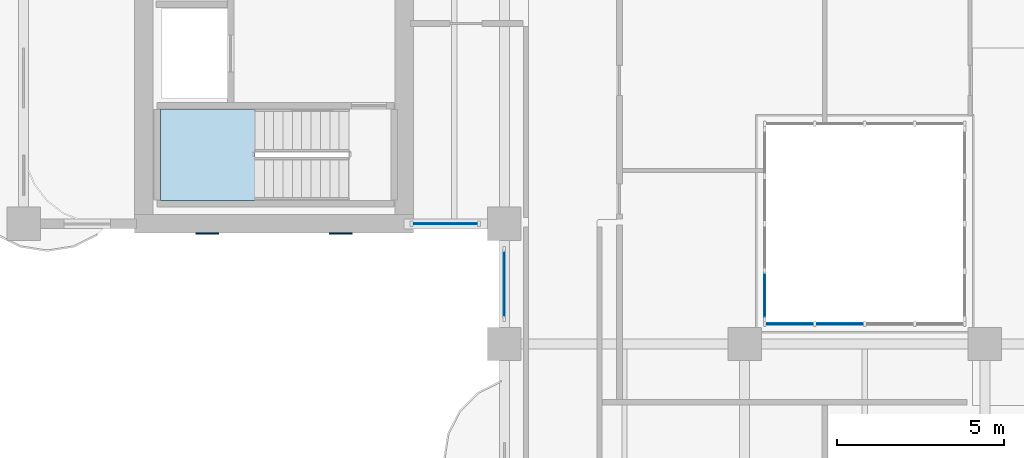
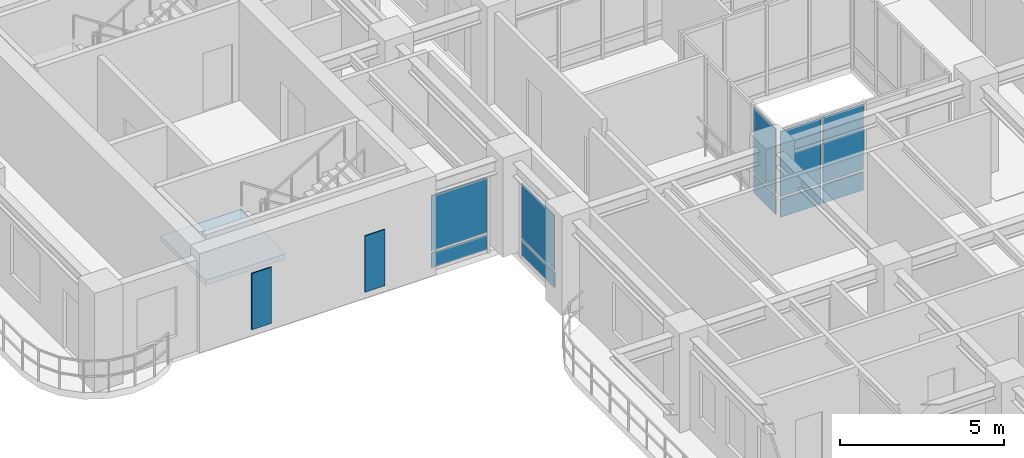
# One storey, part 8 of 21: 12 plates, 1 slab, 5 elements without a shape of their own.
"""IFC4 building model written with IfcOpenShell, lengths in metres."""

import ifcopenshell
import ifcopenshell.guid

model = None  # the IFC model being written
_history = None  # IfcOwnerHistory: only IFC2X3 demands one
_inside = {}  # id of a spatial element -> (the spatial element, [elements in it])
_under = {}  # id of a project, library or spatial element -> (it, [spatial elements below it])
_declared = {}  # id of a project -> (the project, [libraries it declares])
_typed = {}  # id of a type object -> (the type object, [elements of that type])
_made_of = {}  # id of a material, layer set ... -> (it, [elements and type objects made of it])


def new_model(schema):
    """Start an empty IFC model of exactly this schema.

    Asked for "IFC4X3", IfcOpenShell would pick the latest addendum, in which some entities
    have other attributes; the version numbers below select the first issue.
    IFC2X3 requires an IfcOwnerHistory on every rooted entity: one is made here for all.
    """
    global model, _history
    if schema == "IFC4X3":
        model = ifcopenshell.file(schema_version=(4, 3, 0, 0))
    else:
        model = ifcopenshell.file(schema=schema)
    _inside.clear()
    _under.clear()
    _declared.clear()
    _typed.clear()
    _made_of.clear()
    _history = None
    if model.schema == "IFC2X3":
        org = make("IfcOrganization", Name="unknown")
        user = make(
            "IfcPersonAndOrganization",
            ThePerson=make("IfcPerson", FamilyName="unknown"),
            TheOrganization=org,
        )
        app = make(
            "IfcApplication",
            ApplicationDeveloper=org,
            Version="unknown",
            ApplicationFullName="unknown",
            ApplicationIdentifier="unknown",
        )
        _history = make(
            "IfcOwnerHistory",
            OwningUser=user,
            OwningApplication=app,
            ChangeAction="ADDED",
            CreationDate=0,
        )
    return model


def make(cls, **values):
    """One entity of the class cls with the attributes given. An attribute that is None is left unset."""
    return model.create_entity(
        cls, **{name: value for name, value in values.items() if value is not None}
    )


def rooted(cls, **values):
    """An entity with a GlobalId (a new one), such as an element, a storey or a relation."""
    return make(cls, GlobalId=ifcopenshell.guid.new(), OwnerHistory=_history, **values)


def si_unit(unit_type, name, prefix=None):
    """IfcSIUnit, for example si_unit("LENGTHUNIT", "METRE", prefix="MILLI")."""
    return make("IfcSIUnit", UnitType=unit_type, Prefix=prefix, Name=name)


def derived_unit(unit_type, elements):
    """IfcDerivedUnit: a product of units, each with its exponent."""
    return make(
        "IfcDerivedUnit",
        Elements=[
            make("IfcDerivedUnitElement", Unit=unit, Exponent=power)
            for unit, power in elements
        ],
        UnitType=unit_type,
    )


def assignment(units):
    """IfcUnitAssignment: the units of a project."""
    return None if units is None else make("IfcUnitAssignment", Units=units)


def point(xyz):
    """IfcCartesianPoint."""
    return None if xyz is None else make("IfcCartesianPoint", Coordinates=xyz)


def direction(xyz):
    """IfcDirection."""
    return None if xyz is None else make("IfcDirection", DirectionRatios=xyz)


def frame(location, z_axis=None, x_axis=None):
    """IfcAxis2Placement3D, a coordinate frame: its origin and axes. An axis left out is left unset."""
    return make(
        "IfcAxis2Placement3D",
        Location=point(location),
        Axis=direction(z_axis),
        RefDirection=direction(x_axis),
    )


def frame_2d(location, x_axis=None):
    """IfcAxis2Placement2D, a coordinate frame in the plane: its origin and x axis."""
    return make(
        "IfcAxis2Placement2D", Location=point(location), RefDirection=direction(x_axis)
    )


def origin():
    """The frame at (0, 0, 0) with its axes left unset."""
    return frame((0.0, 0.0, 0.0))


def origin_2d():
    """The frame at (0, 0) in the plane with its x axis left unset."""
    return frame_2d((0.0, 0.0))


def place(relative_to, where):
    """IfcLocalPlacement: puts the frame where relative to a parent placement (None: the world)."""
    return make(
        "IfcLocalPlacement", PlacementRelTo=relative_to, RelativePlacement=where
    )


def context(
    kind, dimensions, precision=None, world=None, true_north=None, identifier=None
):
    """IfcGeometricRepresentationContext, for example the 3D "Model" context."""
    return make(
        "IfcGeometricRepresentationContext",
        ContextIdentifier=identifier,
        ContextType=kind,
        CoordinateSpaceDimension=dimensions,
        Precision=precision,
        WorldCoordinateSystem=world,
        TrueNorth=true_north,
    )


def subcontext(parent, identifier, kind, view, scale=None):
    """IfcGeometricRepresentationSubContext, for example "Body" below "Model"."""
    return make(
        "IfcGeometricRepresentationSubContext",
        ContextIdentifier=identifier,
        ContextType=kind,
        ParentContext=parent,
        TargetScale=scale,
        TargetView=view,
    )


def project(units=None, contexts=None):
    """IfcProject with its units and contexts."""
    return rooted(
        "IfcProject",
        Name="project",
        RepresentationContexts=contexts,
        UnitsInContext=assignment(units),
    )


def spatial(cls, under=None, at=None, **own):
    """A site, building, storey or space (cls), placed at a placement, below another one or the project."""
    s = rooted(cls, ObjectPlacement=at, **own)
    if under is not None:
        _under.setdefault(under.id(), (under, []))[1].append(s)
    return s


def polyline(points):
    """IfcPolyline through the points."""
    return make("IfcPolyline", Points=[point(p) for p in points])


def profile(cls, at=None, kind="AREA", **sizes):
    """A parametric profile (cls). Its sizes go by their IFC names, for example OverallWidth=200.0."""
    return make(cls, ProfileType=kind, Position=at, **sizes)


def rectangle(**sizes):
    """IfcRectangleProfileDef."""
    return profile("IfcRectangleProfileDef", **sizes)


def outline(outer, holes=None, kind="AREA"):
    """IfcArbitraryClosedProfileDef: a profile drawn as a closed curve; with holes, ...WithVoids."""
    if holes is None:
        return make("IfcArbitraryClosedProfileDef", ProfileType=kind, OuterCurve=outer)
    return make(
        "IfcArbitraryProfileDefWithVoids",
        ProfileType=kind,
        OuterCurve=outer,
        InnerCurves=holes,
    )


def extrude(swept, where, along, depth):
    """IfcExtrudedAreaSolid: the profile swept, set in the frame where, extruded along a direction by depth."""
    return make(
        "IfcExtrudedAreaSolid",
        SweptArea=swept,
        Position=where,
        ExtrudedDirection=direction(along),
        Depth=depth,
    )


def shape(context_of_items, identifier, shape_type, items):
    """IfcShapeRepresentation: the items that make up one representation, for example the "Body"."""
    return make(
        "IfcShapeRepresentation",
        ContextOfItems=context_of_items,
        RepresentationIdentifier=identifier,
        RepresentationType=shape_type,
        Items=items,
    )


def source(mapping_origin, context_of_items, identifier, shape_type, items):
    """IfcRepresentationMap: a shape defined once, which mapped items show again and again."""
    return make(
        "IfcRepresentationMap",
        MappingOrigin=mapping_origin,
        MappedRepresentation=shape(context_of_items, identifier, shape_type, items),
    )


def transform(
    local_origin,
    x_axis=None,
    y_axis=None,
    z_axis=None,
    scale=None,
    scale2=None,
    scale3=None,
    uniform=True,
):
    """IfcCartesianTransformationOperator3D, or its non-uniform kind. x_axis, y_axis, z_axis: its Axis1, 2, 3."""
    if uniform:
        return make(
            "IfcCartesianTransformationOperator3D",
            Axis1=direction(x_axis),
            Axis2=direction(y_axis),
            LocalOrigin=point(local_origin),
            Scale=scale,
            Axis3=direction(z_axis),
        )
    return make(
        "IfcCartesianTransformationOperator3DnonUniform",
        Axis1=direction(x_axis),
        Axis2=direction(y_axis),
        LocalOrigin=point(local_origin),
        Scale=scale,
        Axis3=direction(z_axis),
        Scale2=scale2,
        Scale3=scale3,
    )


def mapped(mapping_source, mapping_target):
    """IfcMappedItem: shows the shape of a source again, moved by a transform."""
    return make(
        "IfcMappedItem", MappingSource=mapping_source, MappingTarget=mapping_target
    )


def material(Name=None, Category=None):
    """IfcMaterial."""
    return make("IfcMaterial", Name=Name, Category=Category)


def layer(
    of_material, thickness, ventilated=None, Name=None, Category=None, Priority=None
):
    """IfcMaterialLayer: one layer of a wall or slab, of a material (None: an air gap)."""
    return make(
        "IfcMaterialLayer",
        Material=of_material,
        LayerThickness=thickness,
        IsVentilated=ventilated,
        Name=Name,
        Category=Category,
        Priority=Priority,
    )


def layer_set(layers, Name=None):
    """IfcMaterialLayerSet."""
    return make("IfcMaterialLayerSet", MaterialLayers=layers, LayerSetName=Name)


def made_of(thing, what):
    """Note that an element or type object is made of a material, layer set ...; save() writes the relation."""
    if what is not None:
        _made_of.setdefault(what.id(), (what, []))[1].append(thing)
    return thing


def type_object(cls, material=None, **own):
    """A type object (cls), such as IfcWallType, which elements share."""
    return made_of(rooted(cls, **own), material)


def type_shapes(of_type, sources):
    """Give a type object the sources (RepresentationMaps) that its elements show as mapped items."""
    of_type.RepresentationMaps = sources


def element(
    cls,
    number,
    at=None,
    inside=None,
    cuts=None,
    type_object=None,
    material=None,
    context=None,
    identifier="Body",
    shape_type=None,
    held_by="IfcProductDefinitionShape",
    body=None,
    shapes=None,
    **own,
):
    """One element of the class cls, such as IfcWall. Its Tag is "e" and its number.

    at: its placement. inside: the storey or other place that contains it. cuts: it is an
    opening in that element (IfcRelVoidsElement). A single representation is given by context,
    identifier, shape_type and body (its items); several are given by shapes. held_by: the class
    of the entity that holds the representations. save() writes the other relations.
    """
    e = rooted(cls, Tag="e%d" % number, ObjectPlacement=at, **own)
    if body is not None:
        shapes = [shape(context, identifier, shape_type, body)]
    if shapes is not None:
        e.Representation = make(held_by, Representations=shapes)
    if inside is not None:
        _inside.setdefault(inside.id(), (inside, []))[1].append(e)
    if cuts is not None:
        rooted(
            "IfcRelVoidsElement", RelatingBuildingElement=cuts, RelatedOpeningElement=e
        )
    if type_object is not None:
        _typed.setdefault(type_object.id(), (type_object, []))[1].append(e)
    return made_of(e, material)


def aggregate(whole, parts):
    """IfcRelAggregates: a whole, such as a stair, and the parts it consists of."""
    return rooted("IfcRelAggregates", RelatingObject=whole, RelatedObjects=parts)


def save(model, path):
    """Write the relations noted so far, then the file.

    IfcRelAggregates (storeys below a building ...), IfcRelContainedInSpatialStructure (elements
    in a storey), IfcRelDefinesByType, IfcRelAssociatesMaterial and IfcRelDeclares: one each for
    every whole, place, type object, material and project.
    """
    for whole, parts in _under.values():
        aggregate(whole, parts)
    for where, things in _inside.values():
        rooted(
            "IfcRelContainedInSpatialStructure",
            RelatedElements=things,
            RelatingStructure=where,
        )
    for kind, things in _typed.values():
        rooted("IfcRelDefinesByType", RelatedObjects=things, RelatingType=kind)
    for what, things in _made_of.values():
        rooted("IfcRelAssociatesMaterial", RelatedObjects=things, RelatingMaterial=what)
    for by, libraries in _declared.values():
        rooted("IfcRelDeclares", RelatingContext=by, RelatedDefinitions=libraries)
    model.write(path)


model = new_model("IFC4")

# Units and contexts
model_context = context("Model", 3, precision=1e-05, world=origin(), true_north=direction((0.0, 1.0)))
body_context = subcontext(model_context, "Body", "Model", "MODEL_VIEW")
ifc_project = project(units=[si_unit("LENGTHUNIT", "METRE"), si_unit("AREAUNIT", "SQUARE_METRE"), si_unit("VOLUMEUNIT", "CUBIC_METRE"), si_unit("PLANEANGLEUNIT", "RADIAN"), si_unit("MASSUNIT", "GRAM", prefix="KILO"), si_unit("THERMODYNAMICTEMPERATUREUNIT", "KELVIN"), si_unit("POWERUNIT", "WATT"), derived_unit("THERMALTRANSMITTANCEUNIT", [(si_unit("POWERUNIT", "WATT"), 1), (si_unit("AREAUNIT", "SQUARE_METRE"), -1), (si_unit("THERMODYNAMICTEMPERATUREUNIT", "KELVIN"), -1)])], contexts=[model_context])

# Site, building, storey
site_placement = place(None, origin())
site = spatial("IfcSite", under=ifc_project, at=site_placement, CompositionType="ELEMENT")
building_placement = place(site_placement, origin())
building = spatial("IfcBuilding", under=site, at=building_placement, Name="Zahravan Archway Hotel and Residences", CompositionType="ELEMENT")
storey_placement = place(building_placement, frame((0.0, 0.0, 141.39990234375)))
storey = spatial("IfcBuildingStorey", under=building, at=storey_placement, Name="L35", CompositionType="ELEMENT", Elevation=141.39990234375)

# Stair, slab
ifc_material_1 = material(Name="Concrete C50/60", Category="concrete")
stair_type = type_object("IfcStairType", Name="STR-CORE-1300", PredefinedType="HALF_TURN_STAIR", material=ifc_material_1)
stair_placement = place(storey_placement, origin())
stair = element("IfcStair", 1, at=stair_placement, inside=storey, type_object=stair_type, Name="L35 Core B Exit Stair 1", PredefinedType="HALF_TURN_STAIR")
ifc_layer_1 = layer(ifc_material_1, 0.199951171875, Name="Concrete C50/60", Category="concrete")
ifc_layer_set_1 = layer_set([ifc_layer_1], Name="Concrete C50/60")
slab_type = type_object("IfcSlabType", Name="SLB-LND-200", PredefinedType="LANDING", material=ifc_layer_set_1)
slab_placement = place(storey_placement, frame((0.0, 0.0, 1.650146484375)))
slab = element("IfcSlab", 2, at=slab_placement, type_object=slab_type, Name="ST-B1 landing 1", PredefinedType="LANDING", context=body_context, shape_type="SweptSolid", body=[
    extrude(outline(polyline([(6.929931640625, 28.639892578125), (4.10009765625, 28.639892578125), (4.10009765625, 25.89990234375), (6.929931640625, 25.89990234375), (6.929931640625, 28.639892578125)])), origin(), (0.0, 0.0, 1.0), 0.199951171875),
])
aggregate(stair, [slab])

# Plates
ifc_material_2 = material(Name="Perforated Cast Bronze Jali Lattice")
ifc_layer_2 = layer(ifc_material_2, 0.044921875, Name="Perforated Cast Bronze Jali Lattice")
ifc_layer_set_2 = layer_set([ifc_layer_2], Name="Perforated Cast Bronze Jali Lattice")
plate_type_1 = type_object("IfcPlateType", Name="PLT-JALI-BAY", PredefinedType="USERDEFINED", material=ifc_layer_set_2)
shared_shape_1 = source(origin(), body_context, "Body", "SweptSolid", [
    extrude(rectangle(XDim=0.699951171875, YDim=0.044921875, at=origin_2d()), origin(), (0.0, 0.0, 1.0), 2.10009765625),
])
type_shapes(plate_type_1, [shared_shape_1])
for number, where, z_axis, x_axis, name in (
    (3, (5.5, 24.906982421875, 0.25), (0.0, 0.0, 1.0), (1.0, 0.0, 0.0), "L35 Core B South Mughal Jali Screen 1"),
    (4, (9.5, 24.906982421875, 0.25), (0.0, 0.0, 1.0), (1.0, 0.0, 0.0), "L35 Core B South Mughal Jali Screen 2"),
):
    element("IfcPlate", number, at=place(storey_placement, frame(where, z_axis=z_axis, x_axis=x_axis)), inside=storey, type_object=plate_type_1, Name=name, ObjectType="SCREEN", PredefinedType="USERDEFINED", context=body_context, shape_type="MappedRepresentation", body=[
        mapped(shared_shape_1, transform((0.0, 0.0, 0.0), scale=1.0)),
    ])

# Curtain wall, plates
ifc_material_3 = material(Name="Bronze-Anodized Unitised Aluminium & Low-E Glass", Category="aluminium")
ifc_layer_3 = layer(ifc_material_3, 0.179931640625, Name="Bronze-Anodized Unitised Aluminium & Low-E Glass", Category="aluminium")
ifc_layer_set_3 = layer_set([ifc_layer_3], Name="Bronze-Anodized Unitised Aluminium & Low-E Glass")
curtain_wall_type = type_object("IfcCurtainWallType", Name="CW-ATR-GLAZ", PredefinedType="NOTDEFINED", material=ifc_layer_set_3)
curtain_wall_1_placement = place(storey_placement, origin())
curtain_wall_1 = element("IfcCurtainWall", 5, at=curtain_wall_1_placement, inside=storey, type_object=curtain_wall_type, Name="L35 Curtain Wall CW-L35-WB-SE-1", PredefinedType="NOTDEFINED")
ifc_material_4 = material(Name="Insulated Terracotta Spandrel Panel", Category="masonry")
ifc_layer_4 = layer(ifc_material_4, 0.0400390625, Name="Insulated Terracotta Spandrel Panel", Category="masonry")
ifc_layer_set_4 = layer_set([ifc_layer_4], Name="Insulated Terracotta Spandrel Panel")
plate_type_2 = type_object("IfcPlateType", Name="CWP-SPN-40", PredefinedType="SHEET", material=ifc_layer_set_4)
shared_shape_2 = source(origin(), body_context, "Body", "SweptSolid", [
    extrude(rectangle(XDim=1.93994140625, YDim=0.0400390625, at=origin_2d()), origin(), (0.0, 0.0, 1.0), 0.552490234375),
])
plate_1_placement = place(storey_placement, frame((12.6298828125, 25.199951171875, 0.10009765625), z_axis=(0.0, 0.0, 1.0), x_axis=(1.0, 0.0, 0.0)))
plate_1 = element("IfcPlate", 6, at=plate_1_placement, type_object=plate_type_2, Name="CW-L35-WB-SE-1 Spandrel Panel 0", PredefinedType="SHEET", context=body_context, shape_type="MappedRepresentation", body=[
    mapped(shared_shape_2, transform((0.0, 0.0, 0.0), scale=1.0)),
])
ifc_material_5 = material(Name="Double-Silver Low-E Insulated Vision Glass", Category="glass")
ifc_layer_5 = layer(ifc_material_5, 0.028076171875, Name="Double-Silver Low-E Insulated Vision Glass", Category="glass")
ifc_layer_set_5 = layer_set([ifc_layer_5], Name="Double-Silver Low-E Insulated Vision Glass")
plate_type_3 = type_object("IfcPlateType", Name="CWP-GLZ-28", PredefinedType="CURTAIN_PANEL", material=ifc_layer_set_5)
shared_shape_3 = source(origin(), body_context, "Body", "SweptSolid", [
    extrude(rectangle(XDim=1.93994140625, YDim=0.028076171875, at=origin_2d()), origin(), (0.0, 0.0, 1.0), 2.052490234375),
])
plate_2_placement = place(storey_placement, frame((12.6298828125, 25.199951171875, 0.732421875), z_axis=(0.0, 0.0, 1.0), x_axis=(1.0, 0.0, 0.0)))
plate_2 = element("IfcPlate", 7, at=plate_2_placement, type_object=plate_type_3, Name="CW-L35-WB-SE-1 Low-E Vision Panel 0", PredefinedType="CURTAIN_PANEL", context=body_context, shape_type="MappedRepresentation", body=[
    mapped(shared_shape_3, transform((0.0, 0.0, 0.0), scale=1.0)),
])
aggregate(curtain_wall_1, [plate_1, plate_2])

curtain_wall_2_placement = place(storey_placement, origin())
curtain_wall_2 = element("IfcCurtainWall", 8, at=curtain_wall_2_placement, inside=storey, type_object=curtain_wall_type, Name="L35 Curtain Wall CW-L35-WA-WLU-1", PredefinedType="NOTDEFINED")
shared_shape_4 = source(origin(), body_context, "Body", "SweptSolid", [
    extrude(rectangle(XDim=2.0, YDim=0.0400390625, at=origin_2d()), origin(), (0.0, 0.0, 1.0), 0.552490234375),
])
plate_3_placement = place(storey_placement, frame((14.39990234375, 23.39990234375, 0.10009765625), z_axis=(0.0, 0.0, 1.0), x_axis=(0.0, 1.0, 0.0)))
plate_3 = element("IfcPlate", 9, at=plate_3_placement, type_object=plate_type_2, Name="CW-L35-WA-WLU-1 Spandrel Panel 0", PredefinedType="SHEET", context=body_context, shape_type="MappedRepresentation", body=[
    mapped(shared_shape_4, transform((0.0, 0.0, 0.0), scale=1.0)),
])
shared_shape_5 = source(origin(), body_context, "Body", "SweptSolid", [
    extrude(rectangle(XDim=2.0, YDim=0.028076171875, at=origin_2d()), origin(), (0.0, 0.0, 1.0), 2.052490234375),
])
plate_4_placement = place(storey_placement, frame((14.39990234375, 23.39990234375, 0.732421875), z_axis=(0.0, 0.0, 1.0), x_axis=(0.0, 1.0, 0.0)))
plate_4 = element("IfcPlate", 10, at=plate_4_placement, type_object=plate_type_3, Name="CW-L35-WA-WLU-1 Low-E Vision Panel 0", PredefinedType="CURTAIN_PANEL", context=body_context, shape_type="MappedRepresentation", body=[
    mapped(shared_shape_5, transform((0.0, 0.0, 0.0), scale=1.0)),
])
aggregate(curtain_wall_2, [plate_3, plate_4])

curtain_wall_3_placement = place(storey_placement, origin())
curtain_wall_3 = element("IfcCurtainWall", 11, at=curtain_wall_3_placement, inside=storey, type_object=curtain_wall_type, Name="L35 Curtain Wall CW-ATR-L35-S-1", PredefinedType="NOTDEFINED")
shared_shape_6 = source(origin(), body_context, "Body", "SweptSolid", [
    extrude(rectangle(XDim=1.419921875, YDim=0.0400390625, at=origin_2d()), origin(), (0.0, 0.0, 1.0), 0.676025390625),
])
plate_5_placement = place(storey_placement, frame((22.949951171875, 22.199951171875, 0.10009765625), z_axis=(0.0, 0.0, 1.0), x_axis=(1.0, 0.0, 0.0)))
plate_5 = element("IfcPlate", 12, at=plate_5_placement, type_object=plate_type_2, Name="CW-ATR-L35-S-1 Spandrel Panel 0", PredefinedType="SHEET", context=body_context, shape_type="MappedRepresentation", body=[
    mapped(shared_shape_6, transform((0.0, 0.0, 0.0), scale=1.0)),
])
plate_6_placement = place(storey_placement, frame((24.449951171875, 22.199951171875, 0.10009765625), z_axis=(0.0, 0.0, 1.0), x_axis=(1.0, 0.0, 0.0)))
plate_6 = element("IfcPlate", 13, at=plate_6_placement, type_object=plate_type_2, Name="CW-ATR-L35-S-1 Spandrel Panel 1", PredefinedType="SHEET", context=body_context, shape_type="MappedRepresentation", body=[
    mapped(shared_shape_6, transform((0.0, 0.0, 0.0), scale=1.0)),
])
shared_shape_7 = source(origin(), body_context, "Body", "SweptSolid", [
    extrude(rectangle(XDim=1.419921875, YDim=0.028076171875, at=origin_2d()), origin(), (0.0, 0.0, 1.0), 2.444091796875),
])
plate_7_placement = place(storey_placement, frame((22.949951171875, 22.199951171875, 0.85595703125), z_axis=(0.0, 0.0, 1.0), x_axis=(1.0, 0.0, 0.0)))
plate_7 = element("IfcPlate", 14, at=plate_7_placement, type_object=plate_type_3, Name="CW-ATR-L35-S-1 Low-E Vision Panel 0", PredefinedType="CURTAIN_PANEL", context=body_context, shape_type="MappedRepresentation", body=[
    mapped(shared_shape_7, transform((0.0, 0.0, 0.0), scale=1.0)),
])
plate_8_placement = place(storey_placement, frame((24.449951171875, 22.199951171875, 0.85595703125), z_axis=(0.0, 0.0, 1.0), x_axis=(1.0, 0.0, 0.0)))
plate_8 = element("IfcPlate", 15, at=plate_8_placement, type_object=plate_type_3, Name="CW-ATR-L35-S-1 Low-E Vision Panel 1", PredefinedType="CURTAIN_PANEL", context=body_context, shape_type="MappedRepresentation", body=[
    mapped(shared_shape_7, transform((0.0, 0.0, 0.0), scale=1.0)),
])
aggregate(curtain_wall_3, [plate_5, plate_7, plate_6, plate_8])

curtain_wall_4_placement = place(storey_placement, origin())
curtain_wall_4 = element("IfcCurtainWall", 16, at=curtain_wall_4_placement, inside=storey, type_object=curtain_wall_type, Name="L35 Curtain Wall CW-ATR-L35-W-1", PredefinedType="NOTDEFINED")
shared_shape_8 = source(origin(), body_context, "Body", "SweptSolid", [
    extrude(rectangle(XDim=1.344970703125, YDim=0.0400390625, at=origin_2d()), origin(), (0.0, 0.0, 1.0), 0.676025390625),
])
plate_9_placement = place(storey_placement, frame((22.199951171875, 23.0625, 0.10009765625), z_axis=(0.0, 0.0, 1.0), x_axis=(0.0, 1.0, 0.0)))
plate_9 = element("IfcPlate", 17, at=plate_9_placement, type_object=plate_type_2, Name="CW-ATR-L35-W-1 Spandrel Panel 0", PredefinedType="SHEET", context=body_context, shape_type="MappedRepresentation", body=[
    mapped(shared_shape_8, transform((0.0, 0.0, 0.0), scale=1.0)),
])
shared_shape_9 = source(origin(), body_context, "Body", "SweptSolid", [
    extrude(rectangle(XDim=1.344970703125, YDim=0.028076171875, at=origin_2d()), origin(), (0.0, 0.0, 1.0), 2.444091796875),
])
plate_10_placement = place(storey_placement, frame((22.199951171875, 23.0625, 0.85595703125), z_axis=(0.0, 0.0, 1.0), x_axis=(0.0, 1.0, 0.0)))
plate_10 = element("IfcPlate", 18, at=plate_10_placement, type_object=plate_type_3, Name="CW-ATR-L35-W-1 Low-E Vision Panel 0", PredefinedType="CURTAIN_PANEL", context=body_context, shape_type="MappedRepresentation", body=[
    mapped(shared_shape_9, transform((0.0, 0.0, 0.0), scale=1.0)),
])
aggregate(curtain_wall_4, [plate_9, plate_10])

save(model, "model.ifc")
